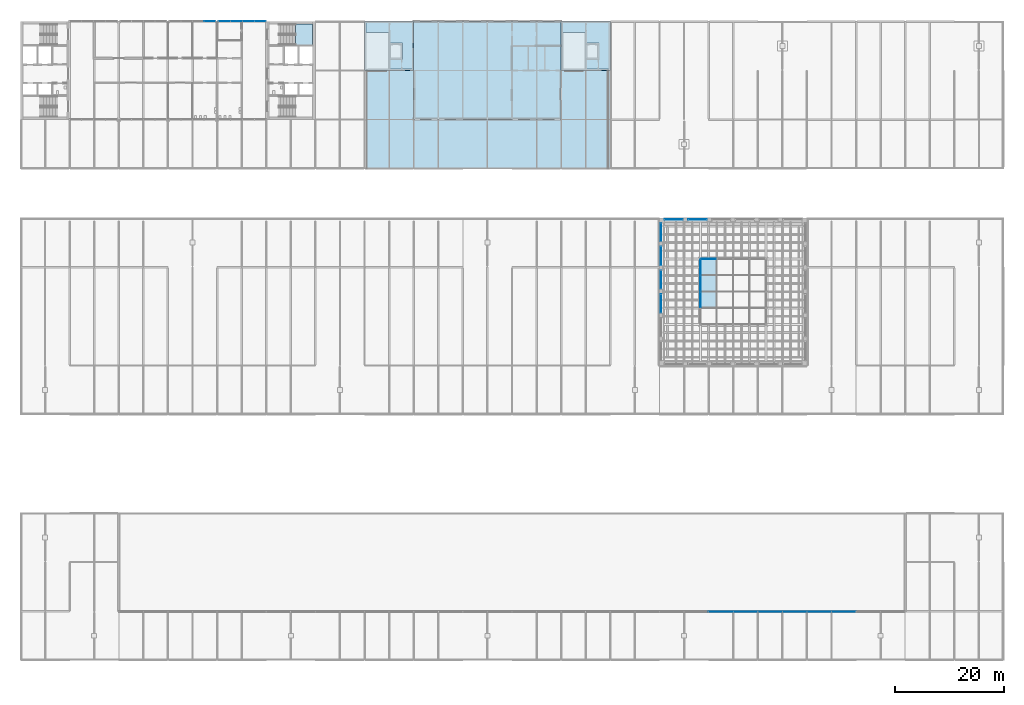
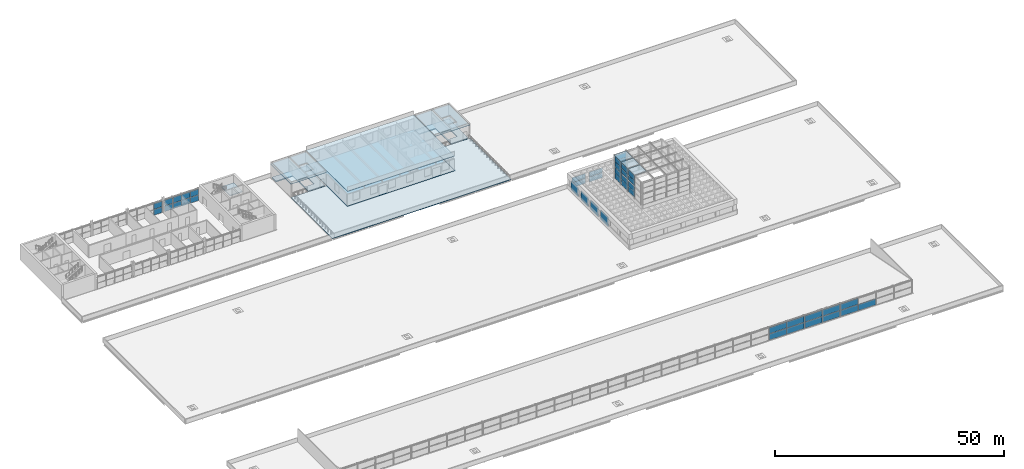
# One storey, part 40 of 50: 48 plates, 8 slabs, 21 elements without a shape of their own.
"""IFC4 building model written with IfcOpenShell, lengths in metres."""

import ifcopenshell
import ifcopenshell.guid

model = None  # the IFC model being written
_history = None  # IfcOwnerHistory: only IFC2X3 demands one
_inside = {}  # id of a spatial element -> (the spatial element, [elements in it])
_under = {}  # id of a project, library or spatial element -> (it, [spatial elements below it])
_declared = {}  # id of a project -> (the project, [libraries it declares])
_typed = {}  # id of a type object -> (the type object, [elements of that type])
_made_of = {}  # id of a material, layer set ... -> (it, [elements and type objects made of it])


def new_model(schema):
    """Start an empty IFC model of exactly this schema.

    Asked for "IFC4X3", IfcOpenShell would pick the latest addendum, in which some entities
    have other attributes; the version numbers below select the first issue.
    IFC2X3 requires an IfcOwnerHistory on every rooted entity: one is made here for all.
    """
    global model, _history
    if schema == "IFC4X3":
        model = ifcopenshell.file(schema_version=(4, 3, 0, 0))
    else:
        model = ifcopenshell.file(schema=schema)
    _inside.clear()
    _under.clear()
    _declared.clear()
    _typed.clear()
    _made_of.clear()
    _history = None
    if model.schema == "IFC2X3":
        org = make("IfcOrganization", Name="unknown")
        user = make(
            "IfcPersonAndOrganization",
            ThePerson=make("IfcPerson", FamilyName="unknown"),
            TheOrganization=org,
        )
        app = make(
            "IfcApplication",
            ApplicationDeveloper=org,
            Version="unknown",
            ApplicationFullName="unknown",
            ApplicationIdentifier="unknown",
        )
        _history = make(
            "IfcOwnerHistory",
            OwningUser=user,
            OwningApplication=app,
            ChangeAction="ADDED",
            CreationDate=0,
        )
    return model


def make(cls, **values):
    """One entity of the class cls with the attributes given. An attribute that is None is left unset."""
    return model.create_entity(
        cls, **{name: value for name, value in values.items() if value is not None}
    )


def rooted(cls, **values):
    """An entity with a GlobalId (a new one), such as an element, a storey or a relation."""
    return make(cls, GlobalId=ifcopenshell.guid.new(), OwnerHistory=_history, **values)


def si_unit(unit_type, name, prefix=None):
    """IfcSIUnit, for example si_unit("LENGTHUNIT", "METRE", prefix="MILLI")."""
    return make("IfcSIUnit", UnitType=unit_type, Prefix=prefix, Name=name)


def assignment(units):
    """IfcUnitAssignment: the units of a project."""
    return None if units is None else make("IfcUnitAssignment", Units=units)


def point(xyz):
    """IfcCartesianPoint."""
    return None if xyz is None else make("IfcCartesianPoint", Coordinates=xyz)


def direction(xyz):
    """IfcDirection."""
    return None if xyz is None else make("IfcDirection", DirectionRatios=xyz)


def frame(location, z_axis=None, x_axis=None):
    """IfcAxis2Placement3D, a coordinate frame: its origin and axes. An axis left out is left unset."""
    return make(
        "IfcAxis2Placement3D",
        Location=point(location),
        Axis=direction(z_axis),
        RefDirection=direction(x_axis),
    )


def frame_2d(location, x_axis=None):
    """IfcAxis2Placement2D, a coordinate frame in the plane: its origin and x axis."""
    return make(
        "IfcAxis2Placement2D", Location=point(location), RefDirection=direction(x_axis)
    )


def origin():
    """The frame at (0, 0, 0) with its axes left unset."""
    return frame((0.0, 0.0, 0.0))


def origin_2d():
    """The frame at (0, 0) in the plane with its x axis left unset."""
    return frame_2d((0.0, 0.0))


def place(relative_to, where):
    """IfcLocalPlacement: puts the frame where relative to a parent placement (None: the world)."""
    return make(
        "IfcLocalPlacement", PlacementRelTo=relative_to, RelativePlacement=where
    )


def context(
    kind, dimensions, precision=None, world=None, true_north=None, identifier=None
):
    """IfcGeometricRepresentationContext, for example the 3D "Model" context."""
    return make(
        "IfcGeometricRepresentationContext",
        ContextIdentifier=identifier,
        ContextType=kind,
        CoordinateSpaceDimension=dimensions,
        Precision=precision,
        WorldCoordinateSystem=world,
        TrueNorth=true_north,
    )


def subcontext(parent, identifier, kind, view, scale=None):
    """IfcGeometricRepresentationSubContext, for example "Body" below "Model"."""
    return make(
        "IfcGeometricRepresentationSubContext",
        ContextIdentifier=identifier,
        ContextType=kind,
        ParentContext=parent,
        TargetScale=scale,
        TargetView=view,
    )


def project(units=None, contexts=None):
    """IfcProject with its units and contexts."""
    return rooted(
        "IfcProject",
        Name="project",
        RepresentationContexts=contexts,
        UnitsInContext=assignment(units),
    )


def spatial(cls, under=None, at=None, **own):
    """A site, building, storey or space (cls), placed at a placement, below another one or the project."""
    s = rooted(cls, ObjectPlacement=at, **own)
    if under is not None:
        _under.setdefault(under.id(), (under, []))[1].append(s)
    return s


def polyline(points):
    """IfcPolyline through the points."""
    return make("IfcPolyline", Points=[point(p) for p in points])


def profile(cls, at=None, kind="AREA", **sizes):
    """A parametric profile (cls). Its sizes go by their IFC names, for example OverallWidth=200.0."""
    return make(cls, ProfileType=kind, Position=at, **sizes)


def rectangle(**sizes):
    """IfcRectangleProfileDef."""
    return profile("IfcRectangleProfileDef", **sizes)


def outline(outer, holes=None, kind="AREA"):
    """IfcArbitraryClosedProfileDef: a profile drawn as a closed curve; with holes, ...WithVoids."""
    if holes is None:
        return make("IfcArbitraryClosedProfileDef", ProfileType=kind, OuterCurve=outer)
    return make(
        "IfcArbitraryProfileDefWithVoids",
        ProfileType=kind,
        OuterCurve=outer,
        InnerCurves=holes,
    )


def extrude(swept, where, along, depth):
    """IfcExtrudedAreaSolid: the profile swept, set in the frame where, extruded along a direction by depth."""
    return make(
        "IfcExtrudedAreaSolid",
        SweptArea=swept,
        Position=where,
        ExtrudedDirection=direction(along),
        Depth=depth,
    )


def shape(context_of_items, identifier, shape_type, items):
    """IfcShapeRepresentation: the items that make up one representation, for example the "Body"."""
    return make(
        "IfcShapeRepresentation",
        ContextOfItems=context_of_items,
        RepresentationIdentifier=identifier,
        RepresentationType=shape_type,
        Items=items,
    )


def material(Name=None, Category=None):
    """IfcMaterial."""
    return make("IfcMaterial", Name=Name, Category=Category)


def layer(
    of_material, thickness, ventilated=None, Name=None, Category=None, Priority=None
):
    """IfcMaterialLayer: one layer of a wall or slab, of a material (None: an air gap)."""
    return make(
        "IfcMaterialLayer",
        Material=of_material,
        LayerThickness=thickness,
        IsVentilated=ventilated,
        Name=Name,
        Category=Category,
        Priority=Priority,
    )


def layer_set(layers, Name=None):
    """IfcMaterialLayerSet."""
    return make("IfcMaterialLayerSet", MaterialLayers=layers, LayerSetName=Name)


def made_of(thing, what):
    """Note that an element or type object is made of a material, layer set ...; save() writes the relation."""
    if what is not None:
        _made_of.setdefault(what.id(), (what, []))[1].append(thing)
    return thing


def type_object(cls, material=None, **own):
    """A type object (cls), such as IfcWallType, which elements share."""
    return made_of(rooted(cls, **own), material)


def element(
    cls,
    number,
    at=None,
    inside=None,
    cuts=None,
    type_object=None,
    material=None,
    context=None,
    identifier="Body",
    shape_type=None,
    held_by="IfcProductDefinitionShape",
    body=None,
    shapes=None,
    **own,
):
    """One element of the class cls, such as IfcWall. Its Tag is "e" and its number.

    at: its placement. inside: the storey or other place that contains it. cuts: it is an
    opening in that element (IfcRelVoidsElement). A single representation is given by context,
    identifier, shape_type and body (its items); several are given by shapes. held_by: the class
    of the entity that holds the representations. save() writes the other relations.
    """
    e = rooted(cls, Tag="e%d" % number, ObjectPlacement=at, **own)
    if body is not None:
        shapes = [shape(context, identifier, shape_type, body)]
    if shapes is not None:
        e.Representation = make(held_by, Representations=shapes)
    if inside is not None:
        _inside.setdefault(inside.id(), (inside, []))[1].append(e)
    if cuts is not None:
        rooted(
            "IfcRelVoidsElement", RelatingBuildingElement=cuts, RelatedOpeningElement=e
        )
    if type_object is not None:
        _typed.setdefault(type_object.id(), (type_object, []))[1].append(e)
    return made_of(e, material)


def aggregate(whole, parts):
    """IfcRelAggregates: a whole, such as a stair, and the parts it consists of."""
    return rooted("IfcRelAggregates", RelatingObject=whole, RelatedObjects=parts)


def save(model, path):
    """Write the relations noted so far, then the file.

    IfcRelAggregates (storeys below a building ...), IfcRelContainedInSpatialStructure (elements
    in a storey), IfcRelDefinesByType, IfcRelAssociatesMaterial and IfcRelDeclares: one each for
    every whole, place, type object, material and project.
    """
    for whole, parts in _under.values():
        aggregate(whole, parts)
    for where, things in _inside.values():
        rooted(
            "IfcRelContainedInSpatialStructure",
            RelatedElements=things,
            RelatingStructure=where,
        )
    for kind, things in _typed.values():
        rooted("IfcRelDefinesByType", RelatedObjects=things, RelatingType=kind)
    for what, things in _made_of.values():
        rooted("IfcRelAssociatesMaterial", RelatedObjects=things, RelatingMaterial=what)
    for by, libraries in _declared.values():
        rooted("IfcRelDeclares", RelatingContext=by, RelatedDefinitions=libraries)
    model.write(path)


model = new_model("IFC4")

# Units and contexts
model_context = context("Model", 3, precision=1e-05, world=origin(), true_north=direction((0.0, 1.0)))
body_context = subcontext(model_context, "Body", "Model", "MODEL_VIEW")
ifc_project = project(units=[si_unit("LENGTHUNIT", "METRE"), si_unit("AREAUNIT", "SQUARE_METRE"), si_unit("VOLUMEUNIT", "CUBIC_METRE"), si_unit("PLANEANGLEUNIT", "RADIAN"), si_unit("MASSUNIT", "GRAM", prefix="KILO")], contexts=[model_context])

# Site, building, storey
site_placement = place(None, origin())
site = spatial("IfcSite", under=ifc_project, at=site_placement, CompositionType="ELEMENT")
building_placement = place(site_placement, origin())
building = spatial("IfcBuilding", under=site, at=building_placement, Name="Corbel Yard City Hall", CompositionType="ELEMENT")
storey_placement = place(building_placement, frame((0.0, 0.0, 15.0)))
storey = spatial("IfcBuildingStorey", under=building, at=storey_placement, Name="L03", CompositionType="ELEMENT", Elevation=15.0)

# Slabs
ifc_material_1 = material(Name="Concrete N40 (40 MPa)", Category="concrete")
ifc_layer_1 = layer(ifc_material_1, 0.25)
ifc_layer_set_1 = layer_set([ifc_layer_1], Name="Concrete N40 (40 MPa)")
slab_type_1 = type_object("IfcSlabType", Name="CF1", PredefinedType="FLOOR", material=ifc_layer_set_1)
slab_1_placement = place(storey_placement, frame((0.0, 0.0, -0.25)))
element("IfcSlab", 1, at=slab_1_placement, inside=storey, type_object=slab_type_1, Name="Core floor slab", PredefinedType="FLOOR", context=body_context, shape_type="SweptSolid", body=[
    extrude(outline(polyline([(63.25, 116.75), (63.25, 114.948974609375), (67.449951171875, 114.948974609375), (67.449951171875, 108.25), (71.75, 108.25), (71.75, 116.75), (63.25, 116.75)]), holes=[polyline([(69.949951171875, 110.0), (69.949951171875, 113.0), (67.699951171875, 113.0), (67.699951171875, 110.0), (69.949951171875, 110.0)])]), origin(), (0.0, 0.0, 1.0), 0.25),
])
slab_2_placement = place(storey_placement, frame((0.0, 0.0, -0.25)))
element("IfcSlab", 2, at=slab_2_placement, inside=storey, type_object=slab_type_1, Name="Core floor slab", PredefinedType="FLOOR", context=body_context, shape_type="SweptSolid", body=[
    extrude(outline(polyline([(99.25, 116.75), (99.25, 114.948974609375), (103.449951171875, 114.948974609375), (103.449951171875, 108.25), (107.75, 108.25), (107.75, 116.75), (99.25, 116.75)]), holes=[polyline([(105.949951171875, 110.0), (105.949951171875, 113.0), (103.699951171875, 113.0), (103.699951171875, 110.0), (105.949951171875, 110.0)])]), origin(), (0.0, 0.0, 1.0), 0.25),
])

# Stair, slab
stair_type = type_object("IfcStairType", Name="ST3", PredefinedType="HALF_TURN_STAIR", material=ifc_material_1)
stair_placement = place(storey_placement, origin())
stair = element("IfcStair", 3, at=stair_placement, inside=storey, type_object=stair_type, Name="Exit stair ST-E2 L03", PredefinedType="HALF_TURN_STAIR")
ifc_layer_2 = layer(ifc_material_1, 0.199951171875)
ifc_layer_set_2 = layer_set([ifc_layer_2], Name="Concrete N40 (40 MPa)")
slab_type_2 = type_object("IfcSlabType", Name="LN1", PredefinedType="LANDING", material=ifc_layer_set_2)
slab_3_placement = place(storey_placement, frame((0.0, 0.0, 1.89990234375)))
slab_3 = element("IfcSlab", 4, at=slab_3_placement, type_object=slab_type_2, Name="ST-E2 landing 1", PredefinedType="LANDING", context=body_context, shape_type="SweptSolid", body=[
    extrude(outline(polyline([(50.3798828125, 112.699951171875), (53.5, 112.699951171875), (53.5, 116.5), (50.3798828125, 116.5), (50.3798828125, 112.699951171875)])), origin(), (0.0, 0.0, 1.0), 0.2001953125),
])
aggregate(stair, [slab_3])

# Curtain wall, plates
ifc_material_2 = material(Name="Stainless steel Grade 316", Category="steel")
ifc_layer_3 = layer(ifc_material_2, 0.050048828125)
ifc_layer_set_3 = layer_set([ifc_layer_3], Name="Stainless steel Grade 316")
curtain_wall_type_1 = type_object("IfcCurtainWallType", Name="CW9", PredefinedType="USERDEFINED", material=ifc_layer_set_3)
curtain_wall_1_placement = place(storey_placement, origin())
curtain_wall_1 = element("IfcCurtainWall", 5, at=curtain_wall_1_placement, inside=storey, type_object=curtain_wall_type_1, Name="Lantern roof glazing", ObjectType="CURTAIN WALL", PredefinedType="USERDEFINED")
ifc_material_3 = material(Name="Laminated heat-strengthened glass", Category="glass")
ifc_layer_4 = layer(ifc_material_3, 0.052001953125)
ifc_layer_set_4 = layer_set([ifc_layer_4], Name="Laminated heat-strengthened glass")
plate_type_1 = type_object("IfcPlateType", Name="PN10", PredefinedType="CURTAIN_PANEL", material=ifc_layer_set_4)
plate_1_placement = place(storey_placement, frame((125.93505859375, 66.0, 10.64990234375), z_axis=(0.0, 0.0, 1.0), x_axis=(1.0, 0.0, 0.0)))
plate_1 = element("IfcPlate", 6, at=plate_1_placement, type_object=plate_type_1, Name="Lantern roof glazing panel", PredefinedType="CURTAIN_PANEL", context=body_context, shape_type="SweptSolid", body=[
    extrude(rectangle(XDim=3.070068359375, YDim=2.93994140625, at=origin_2d()), origin(), (0.0, 0.0, 1.0), 0.052001953125),
])
plate_2_placement = place(storey_placement, frame((125.93505859375, 69.0, 10.64990234375), z_axis=(0.0, 0.0, 1.0), x_axis=(1.0, 0.0, 0.0)))
plate_2 = element("IfcPlate", 7, at=plate_2_placement, type_object=plate_type_1, Name="Lantern roof glazing panel", PredefinedType="CURTAIN_PANEL", context=body_context, shape_type="SweptSolid", body=[
    extrude(rectangle(XDim=3.070068359375, YDim=2.93994140625, at=origin_2d()), origin(), (0.0, 0.0, 1.0), 0.052001953125),
])
plate_3_placement = place(storey_placement, frame((125.93505859375, 72.06494140625, 10.64990234375), z_axis=(0.0, 0.0, 1.0), x_axis=(1.0, 0.0, 0.0)))
plate_3 = element("IfcPlate", 8, at=plate_3_placement, type_object=plate_type_1, Name="Lantern roof glazing panel", PredefinedType="CURTAIN_PANEL", context=body_context, shape_type="SweptSolid", body=[
    extrude(rectangle(XDim=3.070068359375, YDim=3.070068359375, at=origin_2d()), origin(), (0.0, 0.0, 1.0), 0.052001953125),
])
aggregate(curtain_wall_1, [plate_1, plate_2, plate_3])

ifc_material_4 = material(Name="Aluminium extrusion", Category="aluminium")
ifc_layer_5 = layer(ifc_material_4, 0.14990234375)
ifc_layer_set_5 = layer_set([ifc_layer_5], Name="Aluminium extrusion")
curtain_wall_type_2 = type_object("IfcCurtainWallType", Name="CW2", PredefinedType="USERDEFINED", material=ifc_layer_set_5)
curtain_wall_2_placement = place(storey_placement, origin())
curtain_wall_2 = element("IfcCurtainWall", 9, at=curtain_wall_2_placement, inside=storey, type_object=curtain_wall_type_2, Name="Curtain wall CW2 L03", ObjectType="CURTAIN WALL", PredefinedType="USERDEFINED")
ifc_material_5 = material(Name="Double glazed low-e glass unit", Category="glass")
ifc_layer_6 = layer(ifc_material_5, 0.028076171875)
ifc_layer_set_6 = layer_set([ifc_layer_6], Name="Double glazed low-e glass unit")
plate_type_2 = type_object("IfcPlateType", Name="PN2", PredefinedType="CURTAIN_PANEL", material=ifc_layer_set_6)
plate_4_placement = place(storey_placement, frame((34.666015625, 117.0, 0.06494140625), z_axis=(0.0, 0.0, 1.0), x_axis=(1.0, 0.0, 0.0)))
plate_4 = element("IfcPlate", 10, at=plate_4_placement, type_object=plate_type_2, Name="CW2 panel 4.1", PredefinedType="CURTAIN_PANEL", context=body_context, shape_type="SweptSolid", body=[
    extrude(rectangle(XDim=2.02392578125, YDim=0.028076171875, at=origin_2d()), origin(), (0.0, 0.0, 1.0), 1.5224609375),
])
plate_5_placement = place(storey_placement, frame((34.666015625, 117.0, 1.652587890625), z_axis=(0.0, 0.0, 1.0), x_axis=(1.0, 0.0, 0.0)))
plate_5 = element("IfcPlate", 11, at=plate_5_placement, type_object=plate_type_2, Name="CW2 panel 4.2", PredefinedType="CURTAIN_PANEL", context=body_context, shape_type="SweptSolid", body=[
    extrude(rectangle(XDim=2.02392578125, YDim=0.028076171875, at=origin_2d()), origin(), (0.0, 0.0, 1.0), 1.5224609375),
])
aggregate(curtain_wall_2, [plate_4, plate_5])

curtain_wall_3_placement = place(storey_placement, origin())
curtain_wall_3 = element("IfcCurtainWall", 12, at=curtain_wall_3_placement, inside=storey, type_object=curtain_wall_type_2, Name="Curtain wall CW2 L03", ObjectType="CURTAIN WALL", PredefinedType="USERDEFINED")
plate_6_placement = place(storey_placement, frame((37.3662109375, 117.0, 0.06494140625), z_axis=(0.0, 0.0, 1.0), x_axis=(1.0, 0.0, 0.0)))
plate_6 = element("IfcPlate", 13, at=plate_6_placement, type_object=plate_type_2, Name="CW2 panel 1.1", PredefinedType="CURTAIN_PANEL", context=body_context, shape_type="SweptSolid", body=[
    extrude(rectangle(XDim=2.088134765625, YDim=0.028076171875, at=origin_2d()), origin(), (0.0, 0.0, 1.0), 1.5224609375),
])
plate_7_placement = place(storey_placement, frame((37.3662109375, 117.0, 1.652587890625), z_axis=(0.0, 0.0, 1.0), x_axis=(1.0, 0.0, 0.0)))
plate_7 = element("IfcPlate", 14, at=plate_7_placement, type_object=plate_type_2, Name="CW2 panel 1.2", PredefinedType="CURTAIN_PANEL", context=body_context, shape_type="SweptSolid", body=[
    extrude(rectangle(XDim=2.088134765625, YDim=0.028076171875, at=origin_2d()), origin(), (0.0, 0.0, 1.0), 1.5224609375),
])
plate_8_placement = place(storey_placement, frame((39.53564453125, 117.0, 0.06494140625), z_axis=(0.0, 0.0, 1.0), x_axis=(1.0, 0.0, 0.0)))
plate_8 = element("IfcPlate", 15, at=plate_8_placement, type_object=plate_type_2, Name="CW2 panel 2.1", PredefinedType="CURTAIN_PANEL", context=body_context, shape_type="SweptSolid", body=[
    extrude(rectangle(XDim=2.120849609375, YDim=0.028076171875, at=origin_2d()), origin(), (0.0, 0.0, 1.0), 1.5224609375),
])
plate_9_placement = place(storey_placement, frame((39.53564453125, 117.0, 1.652587890625), z_axis=(0.0, 0.0, 1.0), x_axis=(1.0, 0.0, 0.0)))
plate_9 = element("IfcPlate", 16, at=plate_9_placement, type_object=plate_type_2, Name="CW2 panel 2.2", PredefinedType="CURTAIN_PANEL", context=body_context, shape_type="SweptSolid", body=[
    extrude(rectangle(XDim=2.120849609375, YDim=0.028076171875, at=origin_2d()), origin(), (0.0, 0.0, 1.0), 1.5224609375),
])
plate_10_placement = place(storey_placement, frame((41.721435546875, 117.0, 0.06494140625), z_axis=(0.0, 0.0, 1.0), x_axis=(1.0, 0.0, 0.0)))
plate_10 = element("IfcPlate", 17, at=plate_10_placement, type_object=plate_type_2, Name="CW2 panel 3.1", PredefinedType="CURTAIN_PANEL", context=body_context, shape_type="SweptSolid", body=[
    extrude(rectangle(XDim=2.120849609375, YDim=0.028076171875, at=origin_2d()), origin(), (0.0, 0.0, 1.0), 1.5224609375),
])
plate_11_placement = place(storey_placement, frame((41.721435546875, 117.0, 1.652587890625), z_axis=(0.0, 0.0, 1.0), x_axis=(1.0, 0.0, 0.0)))
plate_11 = element("IfcPlate", 18, at=plate_11_placement, type_object=plate_type_2, Name="CW2 panel 3.2", PredefinedType="CURTAIN_PANEL", context=body_context, shape_type="SweptSolid", body=[
    extrude(rectangle(XDim=2.120849609375, YDim=0.028076171875, at=origin_2d()), origin(), (0.0, 0.0, 1.0), 1.5224609375),
])
plate_12_placement = place(storey_placement, frame((43.890869140625, 117.0, 0.06494140625), z_axis=(0.0, 0.0, 1.0), x_axis=(1.0, 0.0, 0.0)))
plate_12 = element("IfcPlate", 19, at=plate_12_placement, type_object=plate_type_2, Name="CW2 panel 4.1", PredefinedType="CURTAIN_PANEL", context=body_context, shape_type="SweptSolid", body=[
    extrude(rectangle(XDim=2.088134765625, YDim=0.028076171875, at=origin_2d()), origin(), (0.0, 0.0, 1.0), 1.5224609375),
])
plate_13_placement = place(storey_placement, frame((43.890869140625, 117.0, 1.652587890625), z_axis=(0.0, 0.0, 1.0), x_axis=(1.0, 0.0, 0.0)))
plate_13 = element("IfcPlate", 20, at=plate_13_placement, type_object=plate_type_2, Name="CW2 panel 4.2", PredefinedType="CURTAIN_PANEL", context=body_context, shape_type="SweptSolid", body=[
    extrude(rectangle(XDim=2.088134765625, YDim=0.028076171875, at=origin_2d()), origin(), (0.0, 0.0, 1.0), 1.5224609375),
])
aggregate(curtain_wall_3, [plate_6, plate_7, plate_8, plate_9, plate_10, plate_11, plate_12, plate_13])

ifc_layer_7 = layer(ifc_material_4, 0.1201171875)
ifc_layer_set_7 = layer_set([ifc_layer_7], Name="Aluminium extrusion")
curtain_wall_type_3 = type_object("IfcCurtainWallType", Name="CW3", PredefinedType="USERDEFINED", material=ifc_layer_set_7)
curtain_wall_4_placement = place(storey_placement, origin())
curtain_wall_4 = element("IfcCurtainWall", 21, at=curtain_wall_4_placement, inside=storey, type_object=curtain_wall_type_3, Name="Lantern glazing", ObjectType="CURTAIN WALL", PredefinedType="USERDEFINED")
ifc_layer_8 = layer(ifc_material_3, 0.0439453125)
ifc_layer_set_8 = layer_set([ifc_layer_8], Name="Laminated heat-strengthened glass")
plate_type_3 = type_object("IfcPlateType", Name="PN3", PredefinedType="CURTAIN_PANEL", material=ifc_layer_set_8)
plate_14_placement = place(storey_placement, frame((126.0, 73.5, 4.7001953125), z_axis=(0.0, 0.0, 1.0), x_axis=(1.0, 0.0, 0.0)))
plate_14 = element("IfcPlate", 22, at=plate_14_placement, type_object=plate_type_3, Name="CW3 panel 1.1", PredefinedType="CURTAIN_PANEL", context=body_context, shape_type="SweptSolid", body=[
    extrude(rectangle(XDim=2.699951171875, YDim=0.0439453125, at=origin_2d()), origin(), (0.0, 0.0, 1.0), 1.387451171875),
])
plate_15_placement = place(storey_placement, frame((126.0, 73.5, 6.1376953125), z_axis=(0.0, 0.0, 1.0), x_axis=(1.0, 0.0, 0.0)))
plate_15 = element("IfcPlate", 23, at=plate_15_placement, type_object=plate_type_3, Name="CW3 panel 1.2", PredefinedType="CURTAIN_PANEL", context=body_context, shape_type="SweptSolid", body=[
    extrude(rectangle(XDim=2.699951171875, YDim=0.0439453125, at=origin_2d()), origin(), (0.0, 0.0, 1.0), 1.387451171875),
])
aggregate(curtain_wall_4, [plate_14, plate_15])

curtain_wall_5_placement = place(storey_placement, origin())
curtain_wall_5 = element("IfcCurtainWall", 24, at=curtain_wall_5_placement, inside=storey, type_object=curtain_wall_type_3, Name="Lantern glazing", ObjectType="CURTAIN WALL", PredefinedType="USERDEFINED")
plate_16_placement = place(storey_placement, frame((124.5, 66.0, 4.7001953125), z_axis=(0.0, 0.0, 1.0), x_axis=(0.0, 1.0, 0.0)))
plate_16 = element("IfcPlate", 25, at=plate_16_placement, type_object=plate_type_3, Name="CW3 panel 1.1", PredefinedType="CURTAIN_PANEL", context=body_context, shape_type="SweptSolid", body=[
    extrude(rectangle(XDim=2.699951171875, YDim=0.0439453125, at=origin_2d()), origin(), (0.0, 0.0, 1.0), 1.387451171875),
])
plate_17_placement = place(storey_placement, frame((124.5, 66.0, 6.1376953125), z_axis=(0.0, 0.0, 1.0), x_axis=(0.0, 1.0, 0.0)))
plate_17 = element("IfcPlate", 26, at=plate_17_placement, type_object=plate_type_3, Name="CW3 panel 1.2", PredefinedType="CURTAIN_PANEL", context=body_context, shape_type="SweptSolid", body=[
    extrude(rectangle(XDim=2.699951171875, YDim=0.0439453125, at=origin_2d()), origin(), (0.0, 0.0, 1.0), 1.387451171875),
])
aggregate(curtain_wall_5, [plate_16, plate_17])

curtain_wall_6_placement = place(storey_placement, origin())
curtain_wall_6 = element("IfcCurtainWall", 27, at=curtain_wall_6_placement, inside=storey, type_object=curtain_wall_type_3, Name="Lantern glazing", ObjectType="CURTAIN WALL", PredefinedType="USERDEFINED")
plate_18_placement = place(storey_placement, frame((124.5, 69.0, 4.7001953125), z_axis=(0.0, 0.0, 1.0), x_axis=(0.0, 1.0, 0.0)))
plate_18 = element("IfcPlate", 28, at=plate_18_placement, type_object=plate_type_3, Name="CW3 panel 1.1", PredefinedType="CURTAIN_PANEL", context=body_context, shape_type="SweptSolid", body=[
    extrude(rectangle(XDim=2.699951171875, YDim=0.0439453125, at=origin_2d()), origin(), (0.0, 0.0, 1.0), 1.387451171875),
])
plate_19_placement = place(storey_placement, frame((124.5, 69.0, 6.1376953125), z_axis=(0.0, 0.0, 1.0), x_axis=(0.0, 1.0, 0.0)))
plate_19 = element("IfcPlate", 29, at=plate_19_placement, type_object=plate_type_3, Name="CW3 panel 1.2", PredefinedType="CURTAIN_PANEL", context=body_context, shape_type="SweptSolid", body=[
    extrude(rectangle(XDim=2.699951171875, YDim=0.0439453125, at=origin_2d()), origin(), (0.0, 0.0, 1.0), 1.387451171875),
])
aggregate(curtain_wall_6, [plate_18, plate_19])

curtain_wall_7_placement = place(storey_placement, origin())
curtain_wall_7 = element("IfcCurtainWall", 30, at=curtain_wall_7_placement, inside=storey, type_object=curtain_wall_type_3, Name="Lantern glazing", ObjectType="CURTAIN WALL", PredefinedType="USERDEFINED")
plate_20_placement = place(storey_placement, frame((124.5, 72.0, 4.7001953125), z_axis=(0.0, 0.0, 1.0), x_axis=(0.0, 1.0, 0.0)))
plate_20 = element("IfcPlate", 31, at=plate_20_placement, type_object=plate_type_3, Name="CW3 panel 1.1", PredefinedType="CURTAIN_PANEL", context=body_context, shape_type="SweptSolid", body=[
    extrude(rectangle(XDim=2.699951171875, YDim=0.0439453125, at=origin_2d()), origin(), (0.0, 0.0, 1.0), 1.387451171875),
])
plate_21_placement = place(storey_placement, frame((124.5, 72.0, 6.1376953125), z_axis=(0.0, 0.0, 1.0), x_axis=(0.0, 1.0, 0.0)))
plate_21 = element("IfcPlate", 32, at=plate_21_placement, type_object=plate_type_3, Name="CW3 panel 1.2", PredefinedType="CURTAIN_PANEL", context=body_context, shape_type="SweptSolid", body=[
    extrude(rectangle(XDim=2.699951171875, YDim=0.0439453125, at=origin_2d()), origin(), (0.0, 0.0, 1.0), 1.387451171875),
])
aggregate(curtain_wall_7, [plate_20, plate_21])

curtain_wall_8_placement = place(storey_placement, origin())
curtain_wall_8 = element("IfcCurtainWall", 33, at=curtain_wall_8_placement, inside=storey, type_object=curtain_wall_type_3, Name="Lantern glazing", ObjectType="CURTAIN WALL", PredefinedType="USERDEFINED")
plate_22_placement = place(storey_placement, frame((126.0, 73.5, 7.77490234375), z_axis=(0.0, 0.0, 1.0), x_axis=(1.0, 0.0, 0.0)))
plate_22 = element("IfcPlate", 34, at=plate_22_placement, type_object=plate_type_3, Name="CW3 panel 1.1", PredefinedType="CURTAIN_PANEL", context=body_context, shape_type="SweptSolid", body=[
    extrude(rectangle(XDim=2.699951171875, YDim=0.0439453125, at=origin_2d()), origin(), (0.0, 0.0, 1.0), 1.3125),
])
plate_23_placement = place(storey_placement, frame((126.0, 73.5, 9.137451171875), z_axis=(0.0, 0.0, 1.0), x_axis=(1.0, 0.0, 0.0)))
plate_23 = element("IfcPlate", 35, at=plate_23_placement, type_object=plate_type_3, Name="CW3 panel 1.2", PredefinedType="CURTAIN_PANEL", context=body_context, shape_type="SweptSolid", body=[
    extrude(rectangle(XDim=2.699951171875, YDim=0.0439453125, at=origin_2d()), origin(), (0.0, 0.0, 1.0), 1.3125),
])
aggregate(curtain_wall_8, [plate_22, plate_23])

curtain_wall_9_placement = place(storey_placement, origin())
curtain_wall_9 = element("IfcCurtainWall", 36, at=curtain_wall_9_placement, inside=storey, type_object=curtain_wall_type_3, Name="Lantern glazing", ObjectType="CURTAIN WALL", PredefinedType="USERDEFINED")
plate_24_placement = place(storey_placement, frame((124.5, 66.0, 7.77490234375), z_axis=(0.0, 0.0, 1.0), x_axis=(0.0, 1.0, 0.0)))
plate_24 = element("IfcPlate", 37, at=plate_24_placement, type_object=plate_type_3, Name="CW3 panel 1.1", PredefinedType="CURTAIN_PANEL", context=body_context, shape_type="SweptSolid", body=[
    extrude(rectangle(XDim=2.699951171875, YDim=0.0439453125, at=origin_2d()), origin(), (0.0, 0.0, 1.0), 1.3125),
])
plate_25_placement = place(storey_placement, frame((124.5, 66.0, 9.137451171875), z_axis=(0.0, 0.0, 1.0), x_axis=(0.0, 1.0, 0.0)))
plate_25 = element("IfcPlate", 38, at=plate_25_placement, type_object=plate_type_3, Name="CW3 panel 1.2", PredefinedType="CURTAIN_PANEL", context=body_context, shape_type="SweptSolid", body=[
    extrude(rectangle(XDim=2.699951171875, YDim=0.0439453125, at=origin_2d()), origin(), (0.0, 0.0, 1.0), 1.3125),
])
aggregate(curtain_wall_9, [plate_24, plate_25])

curtain_wall_10_placement = place(storey_placement, origin())
curtain_wall_10 = element("IfcCurtainWall", 39, at=curtain_wall_10_placement, inside=storey, type_object=curtain_wall_type_3, Name="Lantern glazing", ObjectType="CURTAIN WALL", PredefinedType="USERDEFINED")
plate_26_placement = place(storey_placement, frame((124.5, 69.0, 7.77490234375), z_axis=(0.0, 0.0, 1.0), x_axis=(0.0, 1.0, 0.0)))
plate_26 = element("IfcPlate", 40, at=plate_26_placement, type_object=plate_type_3, Name="CW3 panel 1.1", PredefinedType="CURTAIN_PANEL", context=body_context, shape_type="SweptSolid", body=[
    extrude(rectangle(XDim=2.699951171875, YDim=0.0439453125, at=origin_2d()), origin(), (0.0, 0.0, 1.0), 1.3125),
])
plate_27_placement = place(storey_placement, frame((124.5, 69.0, 9.137451171875), z_axis=(0.0, 0.0, 1.0), x_axis=(0.0, 1.0, 0.0)))
plate_27 = element("IfcPlate", 41, at=plate_27_placement, type_object=plate_type_3, Name="CW3 panel 1.2", PredefinedType="CURTAIN_PANEL", context=body_context, shape_type="SweptSolid", body=[
    extrude(rectangle(XDim=2.699951171875, YDim=0.0439453125, at=origin_2d()), origin(), (0.0, 0.0, 1.0), 1.3125),
])
aggregate(curtain_wall_10, [plate_26, plate_27])

curtain_wall_11_placement = place(storey_placement, origin())
curtain_wall_11 = element("IfcCurtainWall", 42, at=curtain_wall_11_placement, inside=storey, type_object=curtain_wall_type_3, Name="Lantern glazing", ObjectType="CURTAIN WALL", PredefinedType="USERDEFINED")
plate_28_placement = place(storey_placement, frame((124.5, 72.0, 7.77490234375), z_axis=(0.0, 0.0, 1.0), x_axis=(0.0, 1.0, 0.0)))
plate_28 = element("IfcPlate", 43, at=plate_28_placement, type_object=plate_type_3, Name="CW3 panel 1.1", PredefinedType="CURTAIN_PANEL", context=body_context, shape_type="SweptSolid", body=[
    extrude(rectangle(XDim=2.699951171875, YDim=0.0439453125, at=origin_2d()), origin(), (0.0, 0.0, 1.0), 1.3125),
])
plate_29_placement = place(storey_placement, frame((124.5, 72.0, 9.137451171875), z_axis=(0.0, 0.0, 1.0), x_axis=(0.0, 1.0, 0.0)))
plate_29 = element("IfcPlate", 44, at=plate_29_placement, type_object=plate_type_3, Name="CW3 panel 1.2", PredefinedType="CURTAIN_PANEL", context=body_context, shape_type="SweptSolid", body=[
    extrude(rectangle(XDim=2.699951171875, YDim=0.0439453125, at=origin_2d()), origin(), (0.0, 0.0, 1.0), 1.3125),
])
aggregate(curtain_wall_11, [plate_28, plate_29])

curtain_wall_12_placement = place(storey_placement, origin())
curtain_wall_12 = element("IfcCurtainWall", 45, at=curtain_wall_12_placement, inside=storey, type_object=curtain_wall_type_3, Name="Chamber clerestory glazing", ObjectType="CURTAIN WALL", PredefinedType="USERDEFINED")
plate_30_placement = place(storey_placement, frame((119.625, 80.699951171875, -0.10009765625), z_axis=(0.0, 0.0, 1.0), x_axis=(1.0, 0.0, 0.0)))
plate_30 = element("IfcPlate", 46, at=plate_30_placement, type_object=plate_type_3, Name="CW3 panel 1.1", PredefinedType="CURTAIN_PANEL", context=body_context, shape_type="SweptSolid", body=[
    extrude(rectangle(XDim=3.35009765625, YDim=0.0439453125, at=origin_2d()), origin(), (0.0, 0.0, 1.0), 1.300048828125),
])
plate_31_placement = place(storey_placement, frame((119.625, 80.699951171875, 1.25), z_axis=(0.0, 0.0, 1.0), x_axis=(1.0, 0.0, 0.0)))
plate_31 = element("IfcPlate", 47, at=plate_31_placement, type_object=plate_type_3, Name="CW3 panel 1.2", PredefinedType="CURTAIN_PANEL", context=body_context, shape_type="SweptSolid", body=[
    extrude(rectangle(XDim=3.35009765625, YDim=0.0439453125, at=origin_2d()), origin(), (0.0, 0.0, 1.0), 1.300048828125),
])
aggregate(curtain_wall_12, [plate_30, plate_31])

curtain_wall_13_placement = place(storey_placement, origin())
curtain_wall_13 = element("IfcCurtainWall", 48, at=curtain_wall_13_placement, inside=storey, type_object=curtain_wall_type_3, Name="Chamber clerestory glazing", ObjectType="CURTAIN WALL", PredefinedType="USERDEFINED")
plate_32_placement = place(storey_placement, frame((123.97509765625, 80.699951171875, -0.10009765625), z_axis=(0.0, 0.0, 1.0), x_axis=(1.0, 0.0, 0.0)))
plate_32 = element("IfcPlate", 49, at=plate_32_placement, type_object=plate_type_3, Name="CW3 panel 1.1", PredefinedType="CURTAIN_PANEL", context=body_context, shape_type="SweptSolid", body=[
    extrude(rectangle(XDim=3.35009765625, YDim=0.0439453125, at=origin_2d()), origin(), (0.0, 0.0, 1.0), 1.300048828125),
])
plate_33_placement = place(storey_placement, frame((123.97509765625, 80.699951171875, 1.25), z_axis=(0.0, 0.0, 1.0), x_axis=(1.0, 0.0, 0.0)))
plate_33 = element("IfcPlate", 50, at=plate_33_placement, type_object=plate_type_3, Name="CW3 panel 1.2", PredefinedType="CURTAIN_PANEL", context=body_context, shape_type="SweptSolid", body=[
    extrude(rectangle(XDim=3.35009765625, YDim=0.0439453125, at=origin_2d()), origin(), (0.0, 0.0, 1.0), 1.300048828125),
])
aggregate(curtain_wall_13, [plate_32, plate_33])

# Curtain wall, plate
curtain_wall_14_placement = place(storey_placement, origin())
curtain_wall_14 = element("IfcCurtainWall", 51, at=curtain_wall_14_placement, inside=storey, type_object=curtain_wall_type_3, Name="Chamber clerestory glazing", ObjectType="CURTAIN WALL", PredefinedType="USERDEFINED")
plate_34_placement = place(storey_placement, frame((117.300048828125, 65.324951171875, 0.050048828125), z_axis=(0.0, 0.0, 1.0), x_axis=(0.0, 1.0, 0.0)))
plate_34 = element("IfcPlate", 52, at=plate_34_placement, type_object=plate_type_3, Name="CW3 panel 1.1", PredefinedType="CURTAIN_PANEL", context=body_context, shape_type="SweptSolid", body=[
    extrude(rectangle(XDim=3.35009765625, YDim=0.0439453125, at=origin_2d()), origin(), (0.0, 0.0, 1.0), 2.5),
])
aggregate(curtain_wall_14, [plate_34])

curtain_wall_15_placement = place(storey_placement, origin())
curtain_wall_15 = element("IfcCurtainWall", 53, at=curtain_wall_15_placement, inside=storey, type_object=curtain_wall_type_3, Name="Chamber clerestory glazing", ObjectType="CURTAIN WALL", PredefinedType="USERDEFINED")
plate_35_placement = place(storey_placement, frame((117.300048828125, 69.675048828125, 0.050048828125), z_axis=(0.0, 0.0, 1.0), x_axis=(0.0, 1.0, 0.0)))
plate_35 = element("IfcPlate", 54, at=plate_35_placement, type_object=plate_type_3, Name="CW3 panel 1.1", PredefinedType="CURTAIN_PANEL", context=body_context, shape_type="SweptSolid", body=[
    extrude(rectangle(XDim=3.35009765625, YDim=0.0439453125, at=origin_2d()), origin(), (0.0, 0.0, 1.0), 2.5),
])
aggregate(curtain_wall_15, [plate_35])

curtain_wall_16_placement = place(storey_placement, origin())
curtain_wall_16 = element("IfcCurtainWall", 55, at=curtain_wall_16_placement, inside=storey, type_object=curtain_wall_type_3, Name="Chamber clerestory glazing", ObjectType="CURTAIN WALL", PredefinedType="USERDEFINED")
plate_36_placement = place(storey_placement, frame((117.300048828125, 74.02490234375, 0.050048828125), z_axis=(0.0, 0.0, 1.0), x_axis=(0.0, 1.0, 0.0)))
plate_36 = element("IfcPlate", 56, at=plate_36_placement, type_object=plate_type_3, Name="CW3 panel 1.1", PredefinedType="CURTAIN_PANEL", context=body_context, shape_type="SweptSolid", body=[
    extrude(rectangle(XDim=3.35009765625, YDim=0.0439453125, at=origin_2d()), origin(), (0.0, 0.0, 1.0), 2.5),
])
aggregate(curtain_wall_16, [plate_36])

curtain_wall_17_placement = place(storey_placement, origin())
curtain_wall_17 = element("IfcCurtainWall", 57, at=curtain_wall_17_placement, inside=storey, type_object=curtain_wall_type_3, Name="Chamber clerestory glazing", ObjectType="CURTAIN WALL", PredefinedType="USERDEFINED")
plate_37_placement = place(storey_placement, frame((117.300048828125, 78.375, 0.050048828125), z_axis=(0.0, 0.0, 1.0), x_axis=(0.0, 1.0, 0.0)))
plate_37 = element("IfcPlate", 58, at=plate_37_placement, type_object=plate_type_3, Name="CW3 panel 1.1", PredefinedType="CURTAIN_PANEL", context=body_context, shape_type="SweptSolid", body=[
    extrude(rectangle(XDim=3.35009765625, YDim=0.0439453125, at=origin_2d()), origin(), (0.0, 0.0, 1.0), 2.5),
])
aggregate(curtain_wall_17, [plate_37])

# Curtain wall, plates
ifc_layer_9 = layer(ifc_material_4, 0.219970703125)
ifc_layer_set_9 = layer_set([ifc_layer_9], Name="Aluminium extrusion")
curtain_wall_type_4 = type_object("IfcCurtainWallType", Name="CW5", PredefinedType="USERDEFINED", material=ifc_layer_set_9)
curtain_wall_18_placement = place(storey_placement, origin())
curtain_wall_18 = element("IfcCurtainWall", 59, at=curtain_wall_18_placement, inside=storey, type_object=curtain_wall_type_4, Name="Hall south clerestory curtain wall", ObjectType="CURTAIN WALL", PredefinedType="USERDEFINED")
ifc_material_6 = material(Name="Acoustic laminated glass", Category="glass")
ifc_layer_10 = layer(ifc_material_6, 0.031982421875)
ifc_layer_set_10 = layer_set([ifc_layer_10], Name="Acoustic laminated glass")
plate_type_4 = type_object("IfcPlateType", Name="PN6", PredefinedType="CURTAIN_PANEL", material=ifc_layer_set_10)
plate_38_placement = place(storey_placement, frame((128.266357421875, 8.889892578125, 0.06494140625), z_axis=(0.0, 0.0, 1.0), x_axis=(1.0, 0.0, 0.0)))
plate_38 = element("IfcPlate", 60, at=plate_38_placement, type_object=plate_type_4, Name="CW5 panel 1.1", PredefinedType="CURTAIN_PANEL", context=body_context, shape_type="SweptSolid", body=[
    extrude(rectangle(XDim=4.402587890625, YDim=0.031982421875, at=origin_2d()), origin(), (0.0, 0.0, 1.0), 1.62744140625),
])
plate_39_placement = place(storey_placement, frame((128.266357421875, 8.889892578125, 1.757568359375), z_axis=(0.0, 0.0, 1.0), x_axis=(1.0, 0.0, 0.0)))
plate_39 = element("IfcPlate", 61, at=plate_39_placement, type_object=plate_type_4, Name="CW5 panel 1.2", PredefinedType="CURTAIN_PANEL", context=body_context, shape_type="SweptSolid", body=[
    extrude(rectangle(XDim=4.402587890625, YDim=0.031982421875, at=origin_2d()), origin(), (0.0, 0.0, 1.0), 1.62744140625),
])
plate_40_placement = place(storey_placement, frame((132.733642578125, 8.889892578125, 0.06494140625), z_axis=(0.0, 0.0, 1.0), x_axis=(1.0, 0.0, 0.0)))
plate_40 = element("IfcPlate", 62, at=plate_40_placement, type_object=plate_type_4, Name="CW5 panel 2.1", PredefinedType="CURTAIN_PANEL", context=body_context, shape_type="SweptSolid", body=[
    extrude(rectangle(XDim=4.402587890625, YDim=0.031982421875, at=origin_2d()), origin(), (0.0, 0.0, 1.0), 1.62744140625),
])
plate_41_placement = place(storey_placement, frame((132.733642578125, 8.889892578125, 1.757568359375), z_axis=(0.0, 0.0, 1.0), x_axis=(1.0, 0.0, 0.0)))
plate_41 = element("IfcPlate", 63, at=plate_41_placement, type_object=plate_type_4, Name="CW5 panel 2.2", PredefinedType="CURTAIN_PANEL", context=body_context, shape_type="SweptSolid", body=[
    extrude(rectangle(XDim=4.402587890625, YDim=0.031982421875, at=origin_2d()), origin(), (0.0, 0.0, 1.0), 1.62744140625),
])
aggregate(curtain_wall_18, [plate_38, plate_39, plate_40, plate_41])

curtain_wall_19_placement = place(storey_placement, origin())
curtain_wall_19 = element("IfcCurtainWall", 64, at=curtain_wall_19_placement, inside=storey, type_object=curtain_wall_type_4, Name="Hall south clerestory curtain wall", ObjectType="CURTAIN WALL", PredefinedType="USERDEFINED")
plate_42_placement = place(storey_placement, frame((137.266357421875, 8.889892578125, 0.06494140625), z_axis=(0.0, 0.0, 1.0), x_axis=(1.0, 0.0, 0.0)))
plate_42 = element("IfcPlate", 65, at=plate_42_placement, type_object=plate_type_4, Name="CW5 panel 1.1", PredefinedType="CURTAIN_PANEL", context=body_context, shape_type="SweptSolid", body=[
    extrude(rectangle(XDim=4.402587890625, YDim=0.031982421875, at=origin_2d()), origin(), (0.0, 0.0, 1.0), 1.62744140625),
])
plate_43_placement = place(storey_placement, frame((137.266357421875, 8.889892578125, 1.757568359375), z_axis=(0.0, 0.0, 1.0), x_axis=(1.0, 0.0, 0.0)))
plate_43 = element("IfcPlate", 66, at=plate_43_placement, type_object=plate_type_4, Name="CW5 panel 1.2", PredefinedType="CURTAIN_PANEL", context=body_context, shape_type="SweptSolid", body=[
    extrude(rectangle(XDim=4.402587890625, YDim=0.031982421875, at=origin_2d()), origin(), (0.0, 0.0, 1.0), 1.62744140625),
])
plate_44_placement = place(storey_placement, frame((141.733642578125, 8.889892578125, 0.06494140625), z_axis=(0.0, 0.0, 1.0), x_axis=(1.0, 0.0, 0.0)))
plate_44 = element("IfcPlate", 67, at=plate_44_placement, type_object=plate_type_4, Name="CW5 panel 2.1", PredefinedType="CURTAIN_PANEL", context=body_context, shape_type="SweptSolid", body=[
    extrude(rectangle(XDim=4.402587890625, YDim=0.031982421875, at=origin_2d()), origin(), (0.0, 0.0, 1.0), 1.62744140625),
])
plate_45_placement = place(storey_placement, frame((141.733642578125, 8.889892578125, 1.757568359375), z_axis=(0.0, 0.0, 1.0), x_axis=(1.0, 0.0, 0.0)))
plate_45 = element("IfcPlate", 68, at=plate_45_placement, type_object=plate_type_4, Name="CW5 panel 2.2", PredefinedType="CURTAIN_PANEL", context=body_context, shape_type="SweptSolid", body=[
    extrude(rectangle(XDim=4.402587890625, YDim=0.031982421875, at=origin_2d()), origin(), (0.0, 0.0, 1.0), 1.62744140625),
])
aggregate(curtain_wall_19, [plate_42, plate_43, plate_44, plate_45])

curtain_wall_20_placement = place(storey_placement, origin())
curtain_wall_20 = element("IfcCurtainWall", 69, at=curtain_wall_20_placement, inside=storey, type_object=curtain_wall_type_4, Name="Hall south clerestory curtain wall", ObjectType="CURTAIN WALL", PredefinedType="USERDEFINED")
plate_46_placement = place(storey_placement, frame((146.266357421875, 8.889892578125, 0.06494140625), z_axis=(0.0, 0.0, 1.0), x_axis=(1.0, 0.0, 0.0)))
plate_46 = element("IfcPlate", 70, at=plate_46_placement, type_object=plate_type_4, Name="CW5 panel 1.1", PredefinedType="CURTAIN_PANEL", context=body_context, shape_type="SweptSolid", body=[
    extrude(rectangle(XDim=4.402587890625, YDim=0.031982421875, at=origin_2d()), origin(), (0.0, 0.0, 1.0), 1.62744140625),
])
plate_47_placement = place(storey_placement, frame((146.266357421875, 8.889892578125, 1.757568359375), z_axis=(0.0, 0.0, 1.0), x_axis=(1.0, 0.0, 0.0)))
plate_47 = element("IfcPlate", 71, at=plate_47_placement, type_object=plate_type_4, Name="CW5 panel 1.2", PredefinedType="CURTAIN_PANEL", context=body_context, shape_type="SweptSolid", body=[
    extrude(rectangle(XDim=4.402587890625, YDim=0.031982421875, at=origin_2d()), origin(), (0.0, 0.0, 1.0), 1.62744140625),
])
plate_48_placement = place(storey_placement, frame((150.733642578125, 8.889892578125, 0.06494140625), z_axis=(0.0, 0.0, 1.0), x_axis=(1.0, 0.0, 0.0)))
plate_48 = element("IfcPlate", 72, at=plate_48_placement, type_object=plate_type_4, Name="CW5 panel 2.1", PredefinedType="CURTAIN_PANEL", context=body_context, shape_type="SweptSolid", body=[
    extrude(rectangle(XDim=4.402587890625, YDim=0.031982421875, at=origin_2d()), origin(), (0.0, 0.0, 1.0), 1.62744140625),
])
aggregate(curtain_wall_20, [plate_46, plate_47, plate_48])

# Slabs
ifc_layer_11 = layer(ifc_material_1, 0.14990234375)
ifc_layer_set_11 = layer_set([ifc_layer_11], Name="Concrete N40 (40 MPa)")
slab_type_3 = type_object("IfcSlabType", Name="Pavilion floor 150", PredefinedType="FLOOR", material=ifc_layer_set_11)
slab_4_placement = place(storey_placement, frame((0.0, 0.0, -0.14990234375)))
element("IfcSlab", 73, at=slab_4_placement, inside=storey, type_object=slab_type_3, Name="Cafe pavilion floor", PredefinedType="FLOOR", context=body_context, shape_type="SweptSolid", body=[
    extrude(outline(polyline([(99.0, 99.0), (99.0, 117.0), (72.0, 117.0), (72.0, 99.0), (99.0, 99.0)])), origin(), (0.0, 0.0, 1.0), 0.14990234375),
])
ifc_layer_12 = layer(ifc_material_1, 0.14990234375)
ifc_layer_set_12 = layer_set([ifc_layer_12], Name="Concrete N40 (40 MPa)")
slab_type_4 = type_object("IfcSlabType", Name="Roof deck 150", PredefinedType="ROOF", material=ifc_layer_set_12)
slab_5_placement = place(storey_placement, frame((0.0, 0.0, 3.449951171875)))
element("IfcSlab", 74, at=slab_5_placement, inside=storey, type_object=slab_type_4, Name="Core roof deck PC-N1", PredefinedType="ROOF", context=body_context, shape_type="SweptSolid", body=[
    extrude(outline(polyline([(72.0, 108.0), (72.0, 117.0), (63.0, 117.0), (63.0, 108.0), (72.0, 108.0)])), origin(), (0.0, 0.0, 1.0), 0.150146484375),
])
slab_6_placement = place(storey_placement, frame((0.0, 0.0, 3.449951171875)))
element("IfcSlab", 75, at=slab_6_placement, inside=storey, type_object=slab_type_4, Name="Core roof deck PC-N2", PredefinedType="ROOF", context=body_context, shape_type="SweptSolid", body=[
    extrude(outline(polyline([(108.0, 108.0), (108.0, 117.0), (99.0, 117.0), (99.0, 108.0), (108.0, 108.0)])), origin(), (0.0, 0.0, 1.0), 0.150146484375),
])
ifc_material_7 = material(Name="Concrete N32 (32 MPa)", Category="concrete")
ifc_layer_13 = layer(ifc_material_7, 0.14990234375)
ifc_layer_set_13 = layer_set([ifc_layer_13], Name="Concrete N32 (32 MPa)")
slab_type_5 = type_object("IfcSlabType", Name="TS1", PredefinedType="ROOF", material=ifc_layer_set_13)
slab_7_placement = place(storey_placement, frame((0.0, 0.0, 3.7919921875)))
element("IfcSlab", 76, at=slab_7_placement, inside=storey, type_object=slab_type_5, Name="Terrace Cafe roof slab", PredefinedType="ROOF", context=body_context, shape_type="SweptSolid", body=[
    extrude(outline(polyline([(72.0, 99.0), (99.0, 99.0), (99.0, 117.0), (72.0, 117.0), (72.0, 99.0)])), origin(), (0.0, 0.0, 1.0), 0.14990234375),
])
ifc_layer_14 = layer(ifc_material_1, 0.14990234375)
ifc_layer_set_14 = layer_set([ifc_layer_14], Name="Concrete N40 (40 MPa)")
slab_type_6 = type_object("IfcSlabType", Name="Terrace deck 150", PredefinedType="FLOOR", material=ifc_layer_set_14)
slab_8_placement = place(storey_placement, frame((0.0, 0.0, -0.14990234375)))
element("IfcSlab", 77, at=slab_8_placement, inside=storey, type_object=slab_type_6, Name="Podium roof terrace deck", PredefinedType="FLOOR", context=body_context, shape_type="SweptSolid", body=[
    extrude(outline(polyline([(63.0, 108.0), (63.0, 90.0), (108.0, 90.0), (108.0, 108.0), (99.0, 108.0), (99.0, 99.0), (72.0, 99.0), (72.0, 108.0), (63.0, 108.0)])), origin(), (0.0, 0.0, 1.0), 0.14990234375),
])

save(model, "model.ifc")
